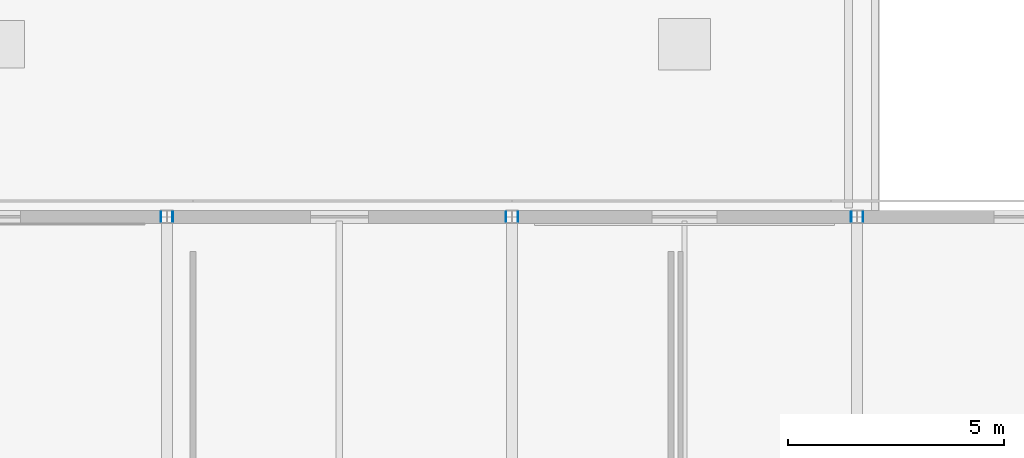
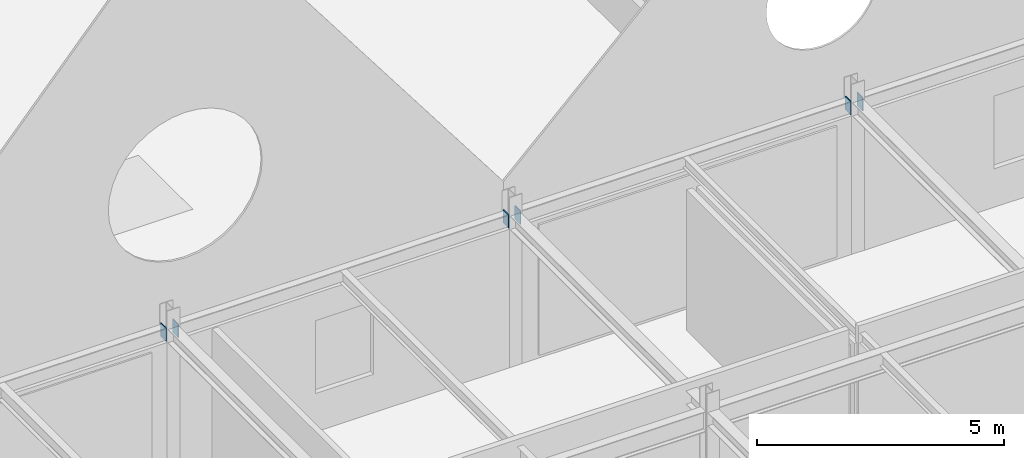
# One storey, part 68 of 88: 6 plates.
"""IFC4 building model written with IfcOpenShell, lengths in metres."""

from ifc_helpers import new_model, si_unit, direction, frame, origin, origin_2d, place, context, subcontext, project, spatial, rectangle, extrude, material, layer, layer_set, type_object, element, save


model = new_model("IFC4")

# Units and contexts
model_context = context("Model", 3, precision=1e-05, world=origin(), true_north=direction((0.0, 1.0)))
body_context = subcontext(model_context, "Body", "Model", "MODEL_VIEW")
ifc_project = project(units=[si_unit("LENGTHUNIT", "METRE"), si_unit("AREAUNIT", "SQUARE_METRE"), si_unit("VOLUMEUNIT", "CUBIC_METRE"), si_unit("PLANEANGLEUNIT", "RADIAN"), si_unit("MASSUNIT", "GRAM", prefix="KILO")], contexts=[model_context])

# Site, building, storey
site_placement = place(None, origin())
site = spatial("IfcSite", under=ifc_project, at=site_placement, CompositionType="ELEMENT")
building_placement = place(site_placement, origin())
building = spatial("IfcBuilding", under=site, at=building_placement, Name="Zhaolan Boulevard Law Courts", CompositionType="ELEMENT")
storey_placement = place(building_placement, frame((0.0, 0.0, 16.199951171875)))
storey = spatial("IfcBuildingStorey", under=building, at=storey_placement, Name="L03", CompositionType="ELEMENT", Elevation=16.199951171875)

# Plates
ifc_material = material(Name="Structural steel Q355B", Category="steel")
ifc_layer = layer(ifc_material, 0.02001953125)
ifc_layer_set = layer_set([ifc_layer])
plate_type = type_object("IfcPlateType", Name="END CAP PLATE 20", PredefinedType="SHEET", material=ifc_layer_set)
for number, where, z_axis, x_axis, name in (
    (1, (91.862060546875, 94.0, 3.423095703125), (0.0, 0.0, 1.0), (1.0, 0.0, 0.0), "Hollow Section End-Cap Plate ECP-0950"),
    (2, (92.137939453125, 94.0, 3.423095703125), (0.0, 0.0, 1.0), (1.0, 0.0, 0.0), "Hollow Section End-Cap Plate ECP-0951"),
    (3, (99.862060546875, 94.0, 3.423095703125), (0.0, 0.0, 1.0), (1.0, 0.0, 0.0), "Hollow Section End-Cap Plate ECP-0952"),
    (4, (100.137939453125, 94.0, 3.423095703125), (0.0, 0.0, 1.0), (1.0, 0.0, 0.0), "Hollow Section End-Cap Plate ECP-0953"),
    (5, (107.862060546875, 94.0, 3.423095703125), (0.0, 0.0, 1.0), (1.0, 0.0, 0.0), "Hollow Section End-Cap Plate ECP-0954"),
    (6, (108.137939453125, 94.0, 3.423095703125), (0.0, 0.0, 1.0), (1.0, 0.0, 0.0), "Hollow Section End-Cap Plate ECP-0955"),
):
    element("IfcPlate", number, at=place(storey_placement, frame(where, z_axis=z_axis, x_axis=x_axis)), inside=storey, type_object=plate_type, Name=name, PredefinedType="SHEET", context=body_context, shape_type="SweptSolid", body=[
        extrude(rectangle(XDim=0.02001953125, YDim=0.22998046875, at=origin_2d()), origin(), (0.0, 0.0, 1.0), 0.330078125),
    ])

save(model, "model.ifc")
